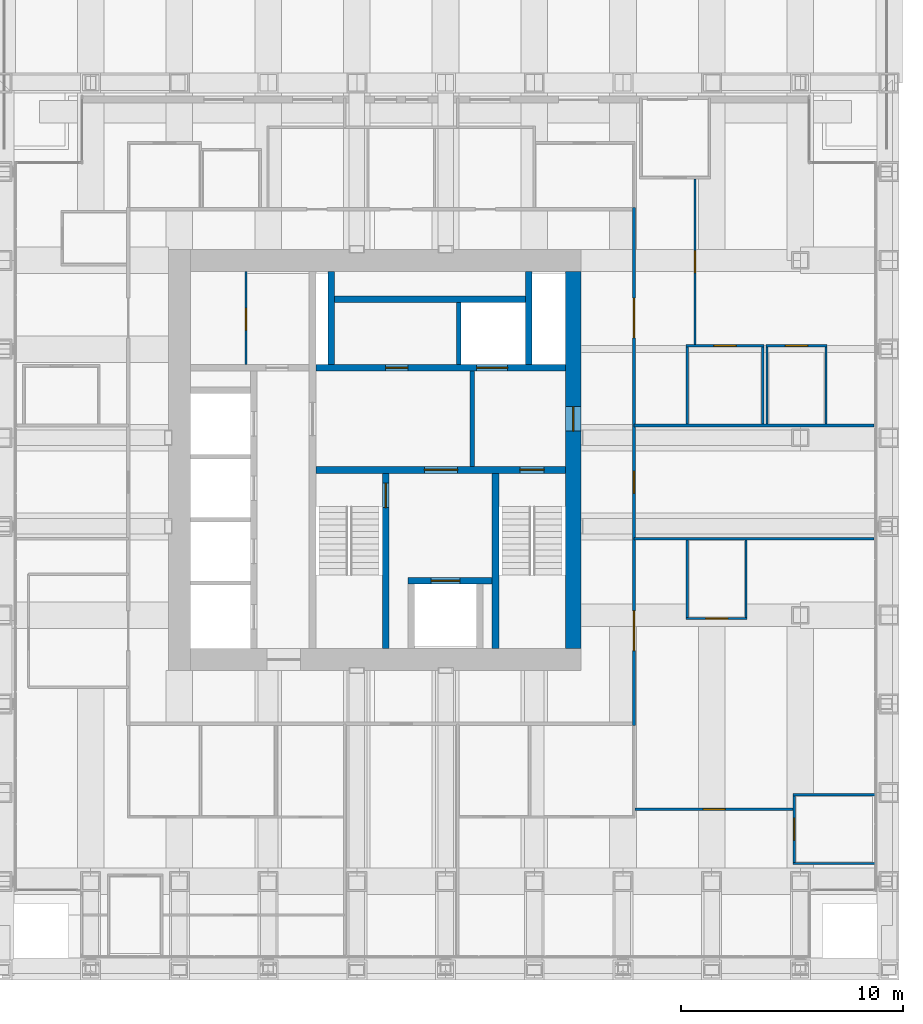
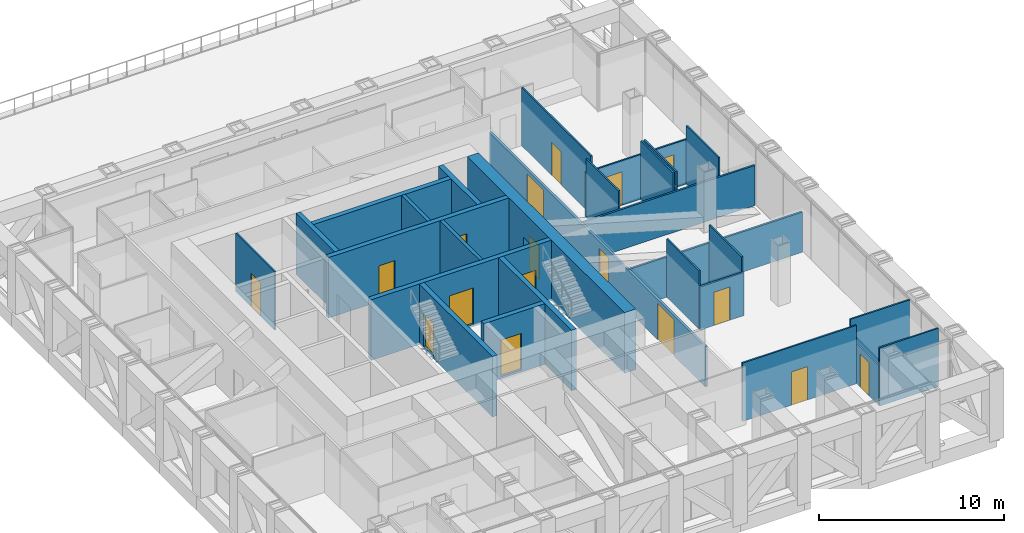
# One storey, part 12 of 17: 29 walls, 17 doors, 17 openings.
"""IFC4 building model written with IfcOpenShell, lengths in metres."""

from ifc_helpers import new_model, si_unit, direction, frame, frame_2d, origin, place, context, subcontext, project, spatial, rectangle, extrude, material, layer, layer_set, type_object, element, fill, save


model = new_model("IFC4")

# Units and contexts
model_context = context("Model", 3, precision=1e-05, world=origin(), true_north=direction((0.0, 1.0)))
body_context = subcontext(model_context, "Body", "Model", "MODEL_VIEW")
ifc_project = project(units=[si_unit("LENGTHUNIT", "METRE"), si_unit("AREAUNIT", "SQUARE_METRE"), si_unit("VOLUMEUNIT", "CUBIC_METRE"), si_unit("PLANEANGLEUNIT", "RADIAN"), si_unit("MASSUNIT", "GRAM", prefix="KILO")], contexts=[model_context])

# Site, building, storey
site_placement = place(None, origin())
site = spatial("IfcSite", under=ifc_project, at=site_placement, CompositionType="ELEMENT")
building_placement = place(site_placement, origin())
building = spatial("IfcBuilding", under=site, at=building_placement, Name="Rimbunsela Tower", CompositionType="ELEMENT")
storey_placement = place(building_placement, frame((0.0, 0.0, 238.199951171875)))
storey = spatial("IfcBuildingStorey", under=building, at=storey_placement, Name="L57", CompositionType="ELEMENT", Elevation=238.199951171875)

# Wall, openings, doors
ifc_material_1 = material(Name="Concrete fc' 80 MPa", Category="concrete")
ifc_layer_1 = layer(ifc_material_1, 0.300048828125)
ifc_layer_set_1 = layer_set([ifc_layer_1], Name="Core internal wall 300")
wall_type_1 = type_object("IfcWallType", Name="Core internal wall 300", PredefinedType="SHEAR", material=ifc_layer_set_1)
wall_1_placement = place(storey_placement, frame((24.14990234375, 26.550048828125, -0.14990234375), z_axis=(0.0, 0.0, 1.0), x_axis=(1.0, 0.0, 0.0)))
wall_1 = element("IfcWall", 1, at=wall_1_placement, inside=storey, type_object=wall_type_1, Name="Core wall lobby south", PredefinedType="SHEAR", context=body_context, shape_type="SweptSolid", body=[
    extrude(rectangle(XDim=11.25, YDim=0.300048828125, at=frame_2d((5.625, 0.0))), origin(), (0.0, 0.0, 1.0), 4.0),
])
opening_1_placement = place(wall_1_placement, frame((9.199951171875, 0.0, 0.14990234375)))
opening_1 = element("IfcOpeningElement", 2, at=opening_1_placement, cuts=wall_1, Name="Opening D20", PredefinedType="OPENING", context=body_context, shape_type="SweptSolid", body=[
    extrude(rectangle(XDim=1.10009765625, YDim=2.199951171875, at=frame_2d((0.550048828125, 1.10009765625))), frame((0.0, 0.159912109375, 0.0), z_axis=(0.0, -1.0, 0.0), x_axis=(1.0, 0.0, 0.0)), (0.0, 0.0, 1.0), 0.320068359375),
])
opening_2_placement = place(wall_1_placement, frame((4.89990234375, 0.0, 0.14990234375)))
opening_2 = element("IfcOpeningElement", 3, at=opening_2_placement, cuts=wall_1, Name="Opening D03", PredefinedType="OPENING", context=body_context, shape_type="SweptSolid", body=[
    extrude(rectangle(XDim=1.5, YDim=2.39990234375, at=frame_2d((0.75, 1.199951171875))), frame((0.0, 0.159912109375, 0.0), z_axis=(0.0, -1.0, 0.0), x_axis=(1.0, 0.0, 0.0)), (0.0, 0.0, 1.0), 0.320068359375),
])
ifc_material_2 = material(Name="Steel door, fire rated", Category="steel")
door_type_1 = type_object("IfcDoorType", Name="Core lobby door 1500", OperationType="DOUBLE_DOOR_DOUBLE_SWING", PredefinedType="DOOR", material=ifc_material_2)
door_1_placement = place(opening_2_placement, origin())
door_1 = element("IfcDoor", 4, at=door_1_placement, inside=storey, type_object=door_type_1, Name="Firefighting lobby door", OperationType="DOUBLE_DOOR_DOUBLE_SWING", OverallHeight=2.39990234375, OverallWidth=1.5, PredefinedType="DOOR", context=body_context, shape_type="SweptSolid", body=[
    extrude(rectangle(XDim=1.5, YDim=2.39990234375, at=frame_2d((0.75, 1.199951171875))), frame((0.0, 0.02490234375, 0.0), z_axis=(0.0, -1.0, 0.0), x_axis=(1.0, 0.0, 0.0)), (0.0, 0.0, 1.0), 0.050048828125),
])
fill(opening_2, door_1)
ifc_material_3 = material(Name="Steel door, fire rated", Category="steel")
door_type_2 = type_object("IfcDoorType", Name="Stair door 1100", OperationType="SINGLE_SWING_RIGHT", PredefinedType="DOOR", material=ifc_material_3)
door_2_placement = place(opening_1_placement, frame((1.10009765625, 0.0, 0.0), z_axis=(0.0, 0.0, 1.0), x_axis=(-1.0, 0.0, 0.0)))
door_2 = element("IfcDoor", 5, at=door_2_placement, inside=storey, type_object=door_type_2, Name="Stair B door", OperationType="SINGLE_SWING_RIGHT", OverallHeight=2.199951171875, OverallWidth=1.10009765625, PredefinedType="DOOR", context=body_context, shape_type="SweptSolid", body=[
    extrude(rectangle(XDim=1.10009765625, YDim=2.199951171875, at=frame_2d((0.550048828125, 1.10009765625))), frame((0.0, 0.02490234375, 0.0), z_axis=(0.0, -1.0, 0.0), x_axis=(1.0, 0.0, 0.0)), (0.0, 0.0, 1.0), 0.050048828125),
])
fill(opening_1, door_2)

# Wall, opening, door
wall_2_placement = place(storey_placement, frame((27.300048828125, 18.5, -0.14990234375), z_axis=(0.0, 0.0, 1.0), x_axis=(0.0, 1.0, 0.0)))
wall_2 = element("IfcWall", 6, at=wall_2_placement, inside=storey, type_object=wall_type_1, Name="Stair A enclosure", PredefinedType="SHEAR", context=body_context, shape_type="SweptSolid", body=[
    extrude(rectangle(XDim=7.89990234375, YDim=0.300048828125, at=frame_2d((3.949951171875, 0.0))), origin(), (0.0, 0.0, 1.0), 4.0),
])
opening_3_placement = place(wall_2_placement, frame((6.35009765625, 0.0, 0.14990234375)))
opening_3 = element("IfcOpeningElement", 7, at=opening_3_placement, cuts=wall_2, Name="Opening D20", PredefinedType="OPENING", context=body_context, shape_type="SweptSolid", body=[
    extrude(rectangle(XDim=1.10009765625, YDim=2.199951171875, at=frame_2d((0.550048828125, 1.10009765625))), frame((0.0, 0.159912109375, 0.0), z_axis=(0.0, -1.0, 0.0), x_axis=(1.0, 0.0, 0.0)), (0.0, 0.0, 1.0), 0.320068359375),
])
door_3_placement = place(opening_3_placement, origin())
door_3 = element("IfcDoor", 8, at=door_3_placement, inside=storey, type_object=door_type_2, Name="Stair A door", OperationType="SINGLE_SWING_RIGHT", OverallHeight=2.199951171875, OverallWidth=1.10009765625, PredefinedType="DOOR", context=body_context, shape_type="SweptSolid", body=[
    extrude(rectangle(XDim=1.10009765625, YDim=2.199951171875, at=frame_2d((0.550048828125, 1.10009765625))), frame((0.0, 0.02490234375, 0.0), z_axis=(0.0, -1.0, 0.0), x_axis=(1.0, 0.0, 0.0)), (0.0, 0.0, 1.0), 0.050048828125),
])
fill(opening_3, door_3)

# Wall
wall_3_placement = place(storey_placement, frame((32.25, 18.5, -0.14990234375), z_axis=(0.0, 0.0, 1.0), x_axis=(0.0, 1.0, 0.0)))
element("IfcWall", 9, at=wall_3_placement, inside=storey, type_object=wall_type_1, Name="Stair B enclosure", PredefinedType="SHEAR", context=body_context, shape_type="SweptSolid", body=[
    extrude(rectangle(XDim=7.89990234375, YDim=0.300048828125, at=frame_2d((3.949951171875, 0.0))), origin(), (0.0, 0.0, 1.0), 4.0),
])

# Wall, opening, door
wall_4_placement = place(storey_placement, frame((28.300048828125, 21.550048828125, -0.14990234375), z_axis=(0.0, 0.0, 1.0), x_axis=(1.0, 0.0, 0.0)))
wall_4 = element("IfcWall", 10, at=wall_4_placement, inside=storey, type_object=wall_type_1, Name="Firefighting lift shaft front", PredefinedType="SHEAR", context=body_context, shape_type="SweptSolid", body=[
    extrude(rectangle(XDim=3.800048828125, YDim=0.300048828125, at=frame_2d((1.89990234375, 0.0))), origin(), (0.0, 0.0, 1.0), 4.0),
])
opening_4_placement = place(wall_4_placement, frame((1.050048828125, 0.0, 0.14990234375)))
opening_4 = element("IfcOpeningElement", 11, at=opening_4_placement, cuts=wall_4, Name="Opening LD2", PredefinedType="OPENING", context=body_context, shape_type="SweptSolid", body=[
    extrude(rectangle(XDim=1.300048828125, YDim=2.39990234375, at=frame_2d((0.64990234375, 1.199951171875))), frame((0.0, 0.159912109375, 0.0), z_axis=(0.0, -1.0, 0.0), x_axis=(1.0, 0.0, 0.0)), (0.0, 0.0, 1.0), 0.320068359375),
])
ifc_material_4 = material(Name="Steel door, fire rated", Category="steel")
door_type_3 = type_object("IfcDoorType", Name="Lift landing door 1300", OperationType="DOUBLE_DOOR_SLIDING", PredefinedType="DOOR", material=ifc_material_4)
door_4_placement = place(opening_4_placement, origin())
door_4 = element("IfcDoor", 12, at=door_4_placement, inside=storey, type_object=door_type_3, Name="Lift landing door FL1", OperationType="DOUBLE_DOOR_SLIDING", OverallHeight=2.39990234375, OverallWidth=1.300048828125, PredefinedType="DOOR", context=body_context, shape_type="SweptSolid", body=[
    extrude(rectangle(XDim=1.300048828125, YDim=2.39990234375, at=frame_2d((0.64990234375, 1.199951171875))), frame((0.0, 0.02490234375, 0.0), z_axis=(0.0, -1.0, 0.0), x_axis=(1.0, 0.0, 0.0)), (0.0, 0.0, 1.0), 0.050048828125),
])
fill(opening_4, door_4)

# Wall, openings, doors
wall_5_placement = place(storey_placement, frame((24.14990234375, 31.14990234375, -0.14990234375), z_axis=(0.0, 0.0, 1.0), x_axis=(1.0, 0.0, 0.0)))
wall_5 = element("IfcWall", 13, at=wall_5_placement, inside=storey, type_object=wall_type_1, Name="Lift shaft front north", PredefinedType="SHEAR", context=body_context, shape_type="SweptSolid", body=[
    extrude(rectangle(XDim=11.25, YDim=0.300048828125, at=frame_2d((5.625, 0.0))), origin(), (0.0, 0.0, 1.0), 4.0),
])
opening_5_placement = place(wall_5_placement, frame((3.14990234375, 0.0, 0.14990234375)))
opening_5 = element("IfcOpeningElement", 14, at=opening_5_placement, cuts=wall_5, Name="Opening D19", PredefinedType="OPENING", context=body_context, shape_type="SweptSolid", body=[
    extrude(rectangle(XDim=1.0, YDim=2.199951171875, at=frame_2d((0.5, 1.10009765625))), frame((0.0, 0.159912109375, 0.0), z_axis=(0.0, -1.0, 0.0), x_axis=(1.0, 0.0, 0.0)), (0.0, 0.0, 1.0), 0.320068359375),
])
opening_6_placement = place(wall_5_placement, frame((7.25, 0.0, 0.14990234375)))
opening_6 = element("IfcOpeningElement", 15, at=opening_6_placement, cuts=wall_5, Name="Opening LD3", PredefinedType="OPENING", context=body_context, shape_type="SweptSolid", body=[
    extrude(rectangle(XDim=1.39990234375, YDim=2.39990234375, at=frame_2d((0.699951171875, 1.199951171875))), frame((0.0, 0.159912109375, 0.0), z_axis=(0.0, -1.0, 0.0), x_axis=(1.0, 0.0, 0.0)), (0.0, 0.0, 1.0), 0.320068359375),
])
ifc_material_5 = material(Name="Steel door, fire rated", Category="steel")
door_type_4 = type_object("IfcDoorType", Name="Lift landing door 1400", OperationType="DOUBLE_DOOR_SLIDING", PredefinedType="DOOR", material=ifc_material_5)
door_5_placement = place(opening_6_placement, origin())
door_5 = element("IfcDoor", 16, at=door_5_placement, inside=storey, type_object=door_type_4, Name="Lift landing door FL2", OperationType="DOUBLE_DOOR_SLIDING", OverallHeight=2.39990234375, OverallWidth=1.39990234375, PredefinedType="DOOR", context=body_context, shape_type="SweptSolid", body=[
    extrude(rectangle(XDim=1.39990234375, YDim=2.39990234375, at=frame_2d((0.699951171875, 1.199951171875))), frame((0.0, 0.02490234375, 0.0), z_axis=(0.0, -1.0, 0.0), x_axis=(1.0, 0.0, 0.0)), (0.0, 0.0, 1.0), 0.050048828125),
])
fill(opening_6, door_5)
ifc_material_6 = material(Name="Steel door, fire rated", Category="steel")
door_type_5 = type_object("IfcDoorType", Name="Service door 1000 fire rated", OperationType="SINGLE_SWING_LEFT", PredefinedType="DOOR", material=ifc_material_6)
door_6_placement = place(opening_5_placement, origin())
door_6 = element("IfcDoor", 17, at=door_6_placement, inside=storey, type_object=door_type_5, Name="Facilities store door", OperationType="SINGLE_SWING_LEFT", OverallHeight=2.199951171875, OverallWidth=1.0, PredefinedType="DOOR", context=body_context, shape_type="SweptSolid", body=[
    extrude(rectangle(XDim=1.0, YDim=2.199951171875, at=frame_2d((0.5, 1.10009765625))), frame((0.0, 0.02490234375, 0.0), z_axis=(0.0, -1.0, 0.0), x_axis=(1.0, 0.0, 0.0)), (0.0, 0.0, 1.0), 0.050048828125),
])
fill(opening_5, door_6)

# Walls
for number, where, z_axis, x_axis, name in (
    (18, (24.85009765625, 31.300048828125, -0.14990234375), (0.0, 0.0, 1.0), (0.0, 1.0, 0.0), "Riser wall"),
    (19, (33.75, 31.300048828125, -0.14990234375), (0.0, 0.0, 1.0), (0.0, 1.0, 0.0), "Riser wall"),
):
    element("IfcWall", number, at=place(storey_placement, frame(where, z_axis=z_axis, x_axis=x_axis)), inside=storey, type_object=wall_type_1, Name=name, PredefinedType="SHEAR", context=body_context, shape_type="SweptSolid", body=[
        extrude(rectangle(XDim=4.199951171875, YDim=0.300048828125, at=frame_2d((2.10009765625, 0.0))), origin(), (0.0, 0.0, 1.0), 4.0),
    ])
wall_6_placement = place(storey_placement, frame((25.0, 34.25, -0.14990234375), z_axis=(0.0, 0.0, 1.0), x_axis=(1.0, 0.0, 0.0)))
element("IfcWall", 20, at=wall_6_placement, inside=storey, type_object=wall_type_1, Name="Lift shaft rear north", PredefinedType="SHEAR", context=body_context, shape_type="SweptSolid", body=[
    extrude(rectangle(XDim=8.60009765625, YDim=0.300048828125, at=frame_2d((4.300048828125, 0.0))), origin(), (0.0, 0.0, 1.0), 4.0),
])

# Wall, opening, door
ifc_material_7 = material(Name="Concrete blockwork", Category="masonry")
ifc_layer_2 = layer(ifc_material_7, 0.10009765625)
ifc_layer_set_2 = layer_set([ifc_layer_2], Name="Core room partition 100")
wall_type_2 = type_object("IfcWallType", Name="Core room partition 100", PredefinedType="PARTITIONING", material=ifc_layer_set_2)
wall_7_placement = place(storey_placement, frame((21.0, 31.300048828125, 0.0), z_axis=(0.0, 0.0, 1.0), x_axis=(0.0, 1.0, 0.0)))
wall_7 = element("IfcWall", 21, at=wall_7_placement, inside=storey, type_object=wall_type_2, Name="Housekeeping store wall", PredefinedType="PARTITIONING", context=body_context, shape_type="SweptSolid", body=[
    extrude(rectangle(XDim=4.199951171875, YDim=0.10009765625, at=frame_2d((2.10009765625, 0.0))), origin(), (0.0, 0.0, 1.0), 3.85009765625),
])
opening_7_placement = place(wall_7_placement, frame((1.550048828125, 0.0, 0.0)))
opening_7 = element("IfcOpeningElement", 22, at=opening_7_placement, cuts=wall_7, Name="Opening D19", PredefinedType="OPENING", context=body_context, shape_type="SweptSolid", body=[
    extrude(rectangle(XDim=1.0, YDim=2.199951171875, at=frame_2d((0.5, 1.10009765625))), frame((0.0, 0.06005859375, 0.0), z_axis=(0.0, -1.0, 0.0), x_axis=(1.0, 0.0, 0.0)), (0.0, 0.0, 1.0), 0.1201171875),
])
door_7_placement = place(opening_7_placement, origin())
door_7 = element("IfcDoor", 23, at=door_7_placement, inside=storey, type_object=door_type_5, Name="Housekeeping store door", OperationType="SINGLE_SWING_LEFT", OverallHeight=2.199951171875, OverallWidth=1.0, PredefinedType="DOOR", context=body_context, shape_type="SweptSolid", body=[
    extrude(rectangle(XDim=1.0, YDim=2.199951171875, at=frame_2d((0.5, 1.10009765625))), frame((0.0, 0.02490234375, 0.0), z_axis=(0.0, -1.0, 0.0), x_axis=(1.0, 0.0, 0.0)), (0.0, 0.0, 1.0), 0.050048828125),
])
fill(opening_7, door_7)

ifc_material_8 = material(Name="Concrete fc' 80 MPa", Category="concrete")
ifc_layer_3 = layer(ifc_material_8, 0.699951171875)
ifc_layer_set_3 = layer_set([ifc_layer_3], Name="Core wall 700 east")
wall_type_3 = type_object("IfcWallType", Name="Core wall 700 east", PredefinedType="SHEAR", material=ifc_layer_set_3)
wall_8_placement = place(storey_placement, frame((35.75, 18.5, -0.14990234375), z_axis=(0.0, 0.0, 1.0), x_axis=(0.0, 1.0, 0.0)))
wall_8 = element("IfcWall", 24, at=wall_8_placement, inside=storey, type_object=wall_type_3, Name="Core wall east", PredefinedType="SHEAR", context=body_context, shape_type="SweptSolid", body=[
    extrude(rectangle(XDim=17.0, YDim=0.699951171875, at=frame_2d((8.5, 0.0))), origin(), (0.0, 0.0, 1.0), 4.0),
])
opening_8_placement = place(wall_8_placement, frame((9.800048828125, 0.0, 0.14990234375)))
opening_8 = element("IfcOpeningElement", 25, at=opening_8_placement, cuts=wall_8, Name="Opening D20", PredefinedType="OPENING", context=body_context, shape_type="SweptSolid", body=[
    extrude(rectangle(XDim=1.10009765625, YDim=2.199951171875, at=frame_2d((0.550048828125, 1.10009765625))), frame((0.0, 0.35986328125, 0.0), z_axis=(0.0, -1.0, 0.0), x_axis=(1.0, 0.0, 0.0)), (0.0, 0.0, 1.0), 0.719970703125),
])
door_8_placement = place(opening_8_placement, origin())
door_8 = element("IfcDoor", 26, at=door_8_placement, inside=storey, type_object=door_type_2, Name="Firefighting lobby 2 door", OperationType="SINGLE_SWING_RIGHT", OverallHeight=2.199951171875, OverallWidth=1.10009765625, PredefinedType="DOOR", context=body_context, shape_type="SweptSolid", body=[
    extrude(rectangle(XDim=1.10009765625, YDim=2.199951171875, at=frame_2d((0.550048828125, 1.10009765625))), frame((0.0, 0.02490234375, 0.0), z_axis=(0.0, -1.0, 0.0), x_axis=(1.0, 0.0, 0.0)), (0.0, 0.0, 1.0), 0.050048828125),
])
fill(opening_8, door_8)

# Walls
ifc_material_9 = material(Name="Concrete blockwork", Category="masonry")
ifc_layer_4 = layer(ifc_material_9, 0.199951171875)
ifc_layer_set_4 = layer_set([ifc_layer_4], Name="Lift shaft wall 200")
wall_type_4 = type_object("IfcWallType", Name="Lift shaft wall 200", PredefinedType="SOLIDWALL", material=ifc_layer_set_4)
wall_9_placement = place(storey_placement, frame((30.60009765625, 31.300048828125, -0.14990234375), z_axis=(0.0, 0.0, 1.0), x_axis=(0.0, 1.0, 0.0)))
element("IfcWall", 27, at=wall_9_placement, inside=storey, type_object=wall_type_4, Name="Lift shaft separation", PredefinedType="SOLIDWALL", context=body_context, shape_type="SweptSolid", body=[
    extrude(rectangle(XDim=2.800048828125, YDim=0.199951171875, at=frame_2d((1.39990234375, 0.0))), origin(), (0.0, 0.0, 1.0), 4.0),
])
wall_10_placement = place(storey_placement, frame((31.199951171875, 26.699951171875, 0.0), z_axis=(0.0, 0.0, 1.0), x_axis=(0.0, 1.0, 0.0)))
element("IfcWall", 28, at=wall_10_placement, inside=storey, type_object=wall_type_4, Name="Firefighting lobby 2 wall", PredefinedType="SOLIDWALL", context=body_context, shape_type="SweptSolid", body=[
    extrude(rectangle(XDim=4.300048828125, YDim=0.199951171875, at=frame_2d((2.14990234375, 0.0))), origin(), (0.0, 0.0, 1.0), 3.85009765625),
])
ifc_material_10 = material(Name="Gypsum board on steel studs", Category="steel")
ifc_layer_5 = layer(ifc_material_10, 0.10009765625)
ifc_layer_set_5 = layer_set([ifc_layer_5], Name="Office partition 100")
wall_type_5 = type_object("IfcWallType", Name="Office partition 100", PredefinedType="PARTITIONING", material=ifc_layer_set_5)
for number, where, z_axis, x_axis, name in (
    (29, (45.669921875, 8.800048828125, 0.0), (0.0, 0.0, 1.0), (1.0, 0.0, 0.0), "Office partition"),
    (30, (45.669921875, 11.89990234375, 0.0), (0.0, 0.0, 1.0), (1.0, 0.0, 0.0), "Office partition"),
):
    element("IfcWall", number, at=place(storey_placement, frame(where, z_axis=z_axis, x_axis=x_axis)), inside=storey, type_object=wall_type_5, Name=name, PredefinedType="PARTITIONING", context=body_context, shape_type="SweptSolid", body=[
        extrude(rectangle(XDim=3.7001953125, YDim=0.10009765625, at=frame_2d((1.85009765625, 0.0))), origin(), (0.0, 0.0, 1.0), 3.85009765625),
    ])

# Wall, opening, door
wall_11_placement = place(storey_placement, frame((40.85009765625, 19.85009765625, 0.0), z_axis=(0.0, 0.0, 1.0), x_axis=(1.0, 0.0, 0.0)))
wall_11 = element("IfcWall", 31, at=wall_11_placement, inside=storey, type_object=wall_type_5, Name="Office partition", PredefinedType="PARTITIONING", context=body_context, shape_type="SweptSolid", body=[
    extrude(rectangle(XDim=2.75, YDim=0.10009765625, at=frame_2d((1.375, 0.0))), origin(), (0.0, 0.0, 1.0), 2.85009765625),
])
opening_9_placement = place(wall_11_placement, frame((0.875, 0.0, 0.0)))
opening_9 = element("IfcOpeningElement", 32, at=opening_9_placement, cuts=wall_11, Name="Opening D16", PredefinedType="OPENING", context=body_context, shape_type="SweptSolid", body=[
    extrude(rectangle(XDim=1.0, YDim=2.199951171875, at=frame_2d((0.5, 1.10009765625))), frame((0.0, 0.06005859375, 0.0), z_axis=(0.0, -1.0, 0.0), x_axis=(1.0, 0.0, 0.0)), (0.0, 0.0, 1.0), 0.1201171875),
])
ifc_material_11 = material(Name="Timber door", Category="wood")
door_type_6 = type_object("IfcDoorType", Name="Office door 1000", OperationType="SINGLE_SWING_LEFT", PredefinedType="DOOR", material=ifc_material_11)
door_9_placement = place(opening_9_placement, origin())
door_9 = element("IfcDoor", 33, at=door_9_placement, inside=storey, type_object=door_type_6, Name="Office door", OperationType="SINGLE_SWING_LEFT", OverallHeight=2.199951171875, OverallWidth=1.0, PredefinedType="DOOR", context=body_context, shape_type="SweptSolid", body=[
    extrude(rectangle(XDim=1.0, YDim=2.199951171875, at=frame_2d((0.5, 1.10009765625))), frame((0.0, 0.02490234375, 0.0), z_axis=(0.0, -1.0, 0.0), x_axis=(1.0, 0.0, 0.0)), (0.0, 0.0, 1.0), 0.050048828125),
])
fill(opening_9, door_9)

wall_12_placement = place(storey_placement, frame((40.85009765625, 32.14990234375, 0.0), z_axis=(0.0, 0.0, 1.0), x_axis=(1.0, 0.0, 0.0)))
wall_12 = element("IfcWall", 34, at=wall_12_placement, inside=storey, type_object=wall_type_5, Name="Office partition", PredefinedType="PARTITIONING", context=body_context, shape_type="SweptSolid", body=[
    extrude(rectangle(XDim=3.5, YDim=0.10009765625, at=frame_2d((1.75, 0.0))), origin(), (0.0, 0.0, 1.0), 2.949951171875),
])
opening_10_placement = place(wall_12_placement, frame((1.25, 0.0, 0.0)))
opening_10 = element("IfcOpeningElement", 35, at=opening_10_placement, cuts=wall_12, Name="Opening D16", PredefinedType="OPENING", context=body_context, shape_type="SweptSolid", body=[
    extrude(rectangle(XDim=1.0, YDim=2.199951171875, at=frame_2d((0.5, 1.10009765625))), frame((0.0, 0.06005859375, 0.0), z_axis=(0.0, -1.0, 0.0), x_axis=(1.0, 0.0, 0.0)), (0.0, 0.0, 1.0), 0.1201171875),
])
door_10_placement = place(opening_10_placement, origin())
door_10 = element("IfcDoor", 36, at=door_10_placement, inside=storey, type_object=door_type_6, Name="Office door", OperationType="SINGLE_SWING_LEFT", OverallHeight=2.199951171875, OverallWidth=1.0, PredefinedType="DOOR", context=body_context, shape_type="SweptSolid", body=[
    extrude(rectangle(XDim=1.0, YDim=2.199951171875, at=frame_2d((0.5, 1.10009765625))), frame((0.0, 0.02490234375, 0.0), z_axis=(0.0, -1.0, 0.0), x_axis=(1.0, 0.0, 0.0)), (0.0, 0.0, 1.0), 0.050048828125),
])
fill(opening_10, door_10)

wall_13_placement = place(storey_placement, frame((44.449951171875, 32.14990234375, 0.0), z_axis=(0.0, 0.0, 1.0), x_axis=(1.0, 0.0, 0.0)))
wall_13 = element("IfcWall", 37, at=wall_13_placement, inside=storey, type_object=wall_type_5, Name="Office partition", PredefinedType="PARTITIONING", context=body_context, shape_type="SweptSolid", body=[
    extrude(rectangle(XDim=2.75, YDim=0.10009765625, at=frame_2d((1.375, 0.0))), origin(), (0.0, 0.0, 1.0), 2.949951171875),
])
opening_11_placement = place(wall_13_placement, frame((0.875, 0.0, 0.0)))
opening_11 = element("IfcOpeningElement", 38, at=opening_11_placement, cuts=wall_13, Name="Opening D16", PredefinedType="OPENING", context=body_context, shape_type="SweptSolid", body=[
    extrude(rectangle(XDim=1.0, YDim=2.199951171875, at=frame_2d((0.5, 1.10009765625))), frame((0.0, 0.06005859375, 0.0), z_axis=(0.0, -1.0, 0.0), x_axis=(1.0, 0.0, 0.0)), (0.0, 0.0, 1.0), 0.1201171875),
])
door_11_placement = place(opening_11_placement, origin())
door_11 = element("IfcDoor", 39, at=door_11_placement, inside=storey, type_object=door_type_6, Name="Office door", OperationType="SINGLE_SWING_LEFT", OverallHeight=2.199951171875, OverallWidth=1.0, PredefinedType="DOOR", context=body_context, shape_type="SweptSolid", body=[
    extrude(rectangle(XDim=1.0, YDim=2.199951171875, at=frame_2d((0.5, 1.10009765625))), frame((0.0, 0.02490234375, 0.0), z_axis=(0.0, -1.0, 0.0), x_axis=(1.0, 0.0, 0.0)), (0.0, 0.0, 1.0), 0.050048828125),
])
fill(opening_11, door_11)

# Walls
for number, where, z_axis, x_axis, name in (
    (40, (40.89990234375, 19.89990234375, 0.0), (0.0, 0.0, 1.0), (0.0, 1.0, 0.0), "Office partition"),
    (41, (40.89990234375, 28.610107421875, 0.0), (0.0, 0.0, 1.0), (0.0, 1.0, 0.0), "Office partition"),
    (42, (43.550048828125, 19.89990234375, 0.0), (0.0, 0.0, 1.0), (0.0, 1.0, 0.0), "Office partition"),
    (43, (44.300048828125, 28.610107421875, 0.0), (0.0, 0.0, 1.0), (0.0, 1.0, 0.0), "Office partition"),
    (44, (44.5, 28.610107421875, 0.0), (0.0, 0.0, 1.0), (0.0, 1.0, 0.0), "Office partition"),
):
    element("IfcWall", number, at=place(storey_placement, frame(where, z_axis=z_axis, x_axis=x_axis)), inside=storey, type_object=wall_type_5, Name=name, PredefinedType="PARTITIONING", context=body_context, shape_type="SweptSolid", body=[
        extrude(rectangle(XDim=3.489990234375, YDim=0.10009765625, at=frame_2d((1.7451171875, 0.0))), origin(), (0.0, 0.0, 1.0), 3.85009765625),
    ])

# Wall, opening, door
wall_14_placement = place(storey_placement, frame((45.719970703125, 8.85009765625, 0.0), z_axis=(0.0, 0.0, 1.0), x_axis=(0.0, 1.0, 0.0)))
wall_14 = element("IfcWall", 45, at=wall_14_placement, inside=storey, type_object=wall_type_5, Name="Office partition", PredefinedType="PARTITIONING", context=body_context, shape_type="SweptSolid", body=[
    extrude(rectangle(XDim=3.0, YDim=0.10009765625, at=frame_2d((1.5, 0.0))), origin(), (0.0, 0.0, 1.0), 2.650146484375),
])
opening_12_placement = place(wall_14_placement, frame((1.0, 0.0, 0.0)))
opening_12 = element("IfcOpeningElement", 46, at=opening_12_placement, cuts=wall_14, Name="Opening D16", PredefinedType="OPENING", context=body_context, shape_type="SweptSolid", body=[
    extrude(rectangle(XDim=1.0, YDim=2.199951171875, at=frame_2d((0.5, 1.10009765625))), frame((0.0, 0.06005859375, 0.0), z_axis=(0.0, -1.0, 0.0), x_axis=(1.0, 0.0, 0.0)), (0.0, 0.0, 1.0), 0.1201171875),
])
door_12_placement = place(opening_12_placement, origin())
door_12 = element("IfcDoor", 47, at=door_12_placement, inside=storey, type_object=door_type_6, Name="Office door", OperationType="SINGLE_SWING_LEFT", OverallHeight=2.199951171875, OverallWidth=1.0, PredefinedType="DOOR", context=body_context, shape_type="SweptSolid", body=[
    extrude(rectangle(XDim=1.0, YDim=2.199951171875, at=frame_2d((0.5, 1.10009765625))), frame((0.0, 0.02490234375, 0.0), z_axis=(0.0, -1.0, 0.0), x_axis=(1.0, 0.0, 0.0)), (0.0, 0.0, 1.0), 0.050048828125),
])
fill(opening_12, door_12)

# Wall
wall_15_placement = place(storey_placement, frame((47.14990234375, 28.610107421875, 0.0), z_axis=(0.0, 0.0, 1.0), x_axis=(0.0, 1.0, 0.0)))
element("IfcWall", 48, at=wall_15_placement, inside=storey, type_object=wall_type_5, Name="Office partition", PredefinedType="PARTITIONING", context=body_context, shape_type="SweptSolid", body=[
    extrude(rectangle(XDim=3.489990234375, YDim=0.10009765625, at=frame_2d((1.7451171875, 0.0))), origin(), (0.0, 0.0, 1.0), 3.85009765625),
])

# Wall, opening, door
wall_16_placement = place(storey_placement, frame((45.669921875, 11.25, 0.0), z_axis=(0.0, 0.0, 1.0), x_axis=(-1.0, 0.0, 0.0)))
wall_16 = element("IfcWall", 49, at=wall_16_placement, inside=storey, type_object=wall_type_5, Name="Office partition", PredefinedType="PARTITIONING", context=body_context, shape_type="SweptSolid", body=[
    extrude(rectangle(XDim=7.119873046875, YDim=0.10009765625, at=frame_2d((3.56005859375, 0.0))), origin(), (0.0, 0.0, 1.0), 3.85009765625),
])
opening_13_placement = place(wall_16_placement, frame((3.06005859375, 0.0, 0.0)))
opening_13 = element("IfcOpeningElement", 50, at=opening_13_placement, cuts=wall_16, Name="Opening D17", PredefinedType="OPENING", context=body_context, shape_type="SweptSolid", body=[
    extrude(rectangle(XDim=1.0, YDim=2.199951171875, at=frame_2d((0.5, 1.10009765625))), frame((0.0, 0.06005859375, 0.0), z_axis=(0.0, -1.0, 0.0), x_axis=(1.0, 0.0, 0.0)), (0.0, 0.0, 1.0), 0.1201171875),
])
ifc_material_12 = material(Name="Glazed aluminium door", Category="aluminium")
door_type_7 = type_object("IfcDoorType", Name="Meeting room door 1000 glazed", OperationType="SINGLE_SWING_RIGHT", PredefinedType="DOOR", material=ifc_material_12)
door_13_placement = place(opening_13_placement, origin())
door_13 = element("IfcDoor", 51, at=door_13_placement, inside=storey, type_object=door_type_7, Name="Open office screen door", OperationType="SINGLE_SWING_RIGHT", OverallHeight=2.199951171875, OverallWidth=1.0, PredefinedType="DOOR", context=body_context, shape_type="SweptSolid", body=[
    extrude(rectangle(XDim=1.0, YDim=2.199951171875, at=frame_2d((0.5, 1.10009765625))), frame((0.0, 0.02490234375, 0.0), z_axis=(0.0, -1.0, 0.0), x_axis=(1.0, 0.0, 0.0)), (0.0, 0.0, 1.0), 0.050048828125),
])
fill(opening_13, door_13)

wall_17_placement = place(storey_placement, frame((41.25, 32.199951171875, 0.0), z_axis=(0.0, 0.0, 1.0), x_axis=(0.0, 1.0, 0.0)))
wall_17 = element("IfcWall", 52, at=wall_17_placement, inside=storey, type_object=wall_type_5, Name="Office partition", PredefinedType="PARTITIONING", context=body_context, shape_type="SweptSolid", body=[
    extrude(rectangle(XDim=7.469970703125, YDim=0.10009765625, at=frame_2d((3.73486328125, 0.0))), origin(), (0.0, 0.0, 1.0), 3.85009765625),
])
opening_14_placement = place(wall_17_placement, frame((3.235107421875, 0.0, 0.0)))
opening_14 = element("IfcOpeningElement", 53, at=opening_14_placement, cuts=wall_17, Name="Opening D17", PredefinedType="OPENING", context=body_context, shape_type="SweptSolid", body=[
    extrude(rectangle(XDim=1.0, YDim=2.199951171875, at=frame_2d((0.5, 1.10009765625))), frame((0.0, 0.06005859375, 0.0), z_axis=(0.0, -1.0, 0.0), x_axis=(1.0, 0.0, 0.0)), (0.0, 0.0, 1.0), 0.1201171875),
])
door_14_placement = place(opening_14_placement, origin())
door_14 = element("IfcDoor", 54, at=door_14_placement, inside=storey, type_object=door_type_7, Name="Open office screen door", OperationType="SINGLE_SWING_RIGHT", OverallHeight=2.199951171875, OverallWidth=1.0, PredefinedType="DOOR", context=body_context, shape_type="SweptSolid", body=[
    extrude(rectangle(XDim=1.0, YDim=2.199951171875, at=frame_2d((0.5, 1.10009765625))), frame((0.0, 0.02490234375, 0.0), z_axis=(0.0, -1.0, 0.0), x_axis=(1.0, 0.0, 0.0)), (0.0, 0.0, 1.0), 0.050048828125),
])
fill(opening_14, door_14)

# Wall, openings, doors
ifc_material_13 = material(Name="Fire-rated gypsum board on steel studs, EI 60", Category="steel")
ifc_layer_6 = layer(ifc_material_13, 0.14990234375)
ifc_layer_set_6 = layer_set([ifc_layer_6], Name="Rated corridor wall 150")
wall_type_6 = type_object("IfcWallType", Name="Rated corridor wall 150", PredefinedType="PARTITIONING", material=ifc_layer_set_6)
wall_18_placement = place(storey_placement, frame((38.5, 15.02490234375, 0.0), z_axis=(0.0, 0.0, 1.0), x_axis=(0.0, 1.0, 0.0)))
wall_18 = element("IfcWall", 55, at=wall_18_placement, inside=storey, type_object=wall_type_6, Name="Corridor wall east", PredefinedType="PARTITIONING", context=body_context, shape_type="SweptSolid", body=[
    extrude(rectangle(XDim=23.35009765625, YDim=0.14990234375, at=frame_2d((11.675048828125, 0.0))), origin(), (0.0, 0.0, 1.0), 2.650146484375),
])
opening_15_placement = place(wall_18_placement, frame((3.3740234375, 0.0, 0.0)))
opening_15 = element("IfcOpeningElement", 56, at=opening_15_placement, cuts=wall_18, Name="Opening D09", PredefinedType="OPENING", context=body_context, shape_type="SweptSolid", body=[
    extrude(rectangle(XDim=1.800048828125, YDim=2.39990234375, at=frame_2d((0.89990234375, 1.199951171875))), frame((0.0, 0.0849609375, 0.0), z_axis=(0.0, -1.0, 0.0), x_axis=(1.0, 0.0, 0.0)), (0.0, 0.0, 1.0), 0.169921875),
])
opening_16_placement = place(wall_18_placement, frame((17.47607421875, 0.0, 0.0)))
opening_16 = element("IfcOpeningElement", 57, at=opening_16_placement, cuts=wall_18, Name="Opening D09", PredefinedType="OPENING", context=body_context, shape_type="SweptSolid", body=[
    extrude(rectangle(XDim=1.800048828125, YDim=2.39990234375, at=frame_2d((0.89990234375, 1.199951171875))), frame((0.0, 0.0849609375, 0.0), z_axis=(0.0, -1.0, 0.0), x_axis=(1.0, 0.0, 0.0)), (0.0, 0.0, 1.0), 0.169921875),
])
opening_17_placement = place(wall_18_placement, frame((10.47509765625, 0.0, 0.0)))
opening_17 = element("IfcOpeningElement", 58, at=opening_17_placement, cuts=wall_18, Name="Opening D19", PredefinedType="OPENING", context=body_context, shape_type="SweptSolid", body=[
    extrude(rectangle(XDim=1.0, YDim=2.199951171875, at=frame_2d((0.5, 1.10009765625))), frame((0.0, 0.0849609375, 0.0), z_axis=(0.0, -1.0, 0.0), x_axis=(1.0, 0.0, 0.0)), (0.0, 0.0, 1.0), 0.169921875),
])
door_15_placement = place(opening_17_placement, origin())
door_15 = element("IfcDoor", 59, at=door_15_placement, inside=storey, type_object=door_type_5, Name="Service chase access door", OperationType="SINGLE_SWING_LEFT", OverallHeight=2.199951171875, OverallWidth=1.0, PredefinedType="DOOR", context=body_context, shape_type="SweptSolid", body=[
    extrude(rectangle(XDim=1.0, YDim=2.199951171875, at=frame_2d((0.5, 1.10009765625))), frame((0.0, 0.02490234375, 0.0), z_axis=(0.0, -1.0, 0.0), x_axis=(1.0, 0.0, 0.0)), (0.0, 0.0, 1.0), 0.050048828125),
])
fill(opening_17, door_15)
ifc_material_14 = material(Name="Glazed aluminium door, fire rated", Category="aluminium")
door_type_8 = type_object("IfcDoorType", Name="Tenancy door 1800 glazed", OperationType="DOUBLE_DOOR_DOUBLE_SWING", PredefinedType="DOOR", material=ifc_material_14)
door_16_placement = place(opening_15_placement, origin())
door_16 = element("IfcDoor", 60, at=door_16_placement, inside=storey, type_object=door_type_8, Name="Tenancy door", OperationType="DOUBLE_DOOR_DOUBLE_SWING", OverallHeight=2.39990234375, OverallWidth=1.800048828125, PredefinedType="DOOR", context=body_context, shape_type="SweptSolid", body=[
    extrude(rectangle(XDim=1.800048828125, YDim=2.39990234375, at=frame_2d((0.89990234375, 1.199951171875))), frame((0.0, 0.02490234375, 0.0), z_axis=(0.0, -1.0, 0.0), x_axis=(1.0, 0.0, 0.0)), (0.0, 0.0, 1.0), 0.050048828125),
])
fill(opening_15, door_16)
door_17_placement = place(opening_16_placement, origin())
door_17 = element("IfcDoor", 61, at=door_17_placement, inside=storey, type_object=door_type_8, Name="Tenancy door", OperationType="DOUBLE_DOOR_DOUBLE_SWING", OverallHeight=2.39990234375, OverallWidth=1.800048828125, PredefinedType="DOOR", context=body_context, shape_type="SweptSolid", body=[
    extrude(rectangle(XDim=1.800048828125, YDim=2.39990234375, at=frame_2d((0.89990234375, 1.199951171875))), frame((0.0, 0.02490234375, 0.0), z_axis=(0.0, -1.0, 0.0), x_axis=(1.0, 0.0, 0.0)), (0.0, 0.0, 1.0), 0.050048828125),
])
fill(opening_16, door_17)

# Walls
ifc_material_15 = material(Name="Gypsum board on steel studs", Category="steel")
ifc_layer_7 = layer(ifc_material_15, 0.1201171875)
ifc_layer_set_7 = layer_set([ifc_layer_7], Name="Tenancy partition 120")
wall_type_7 = type_object("IfcWallType", Name="Tenancy partition 120", PredefinedType="PARTITIONING", material=ifc_layer_set_7)
for number, where, z_axis, x_axis, name in (
    (62, (38.5, 23.449951171875, 0.0), (0.0, 0.0, 1.0), (1.0, 0.0, 0.0), "Tenancy partition"),
    (63, (38.5, 28.550048828125, 0.0), (0.0, 0.0, 1.0), (1.0, 0.0, 0.0), "Tenancy partition"),
):
    element("IfcWall", number, at=place(storey_placement, frame(where, z_axis=z_axis, x_axis=x_axis)), inside=storey, type_object=wall_type_7, Name=name, PredefinedType="PARTITIONING", context=body_context, shape_type="SweptSolid", body=[
        extrude(rectangle(XDim=10.820068359375, YDim=0.1201171875, at=frame_2d((5.41015625, 0.0))), origin(), (0.0, 0.0, 1.0), 2.650146484375),
    ])

save(model, "model.ifc")
